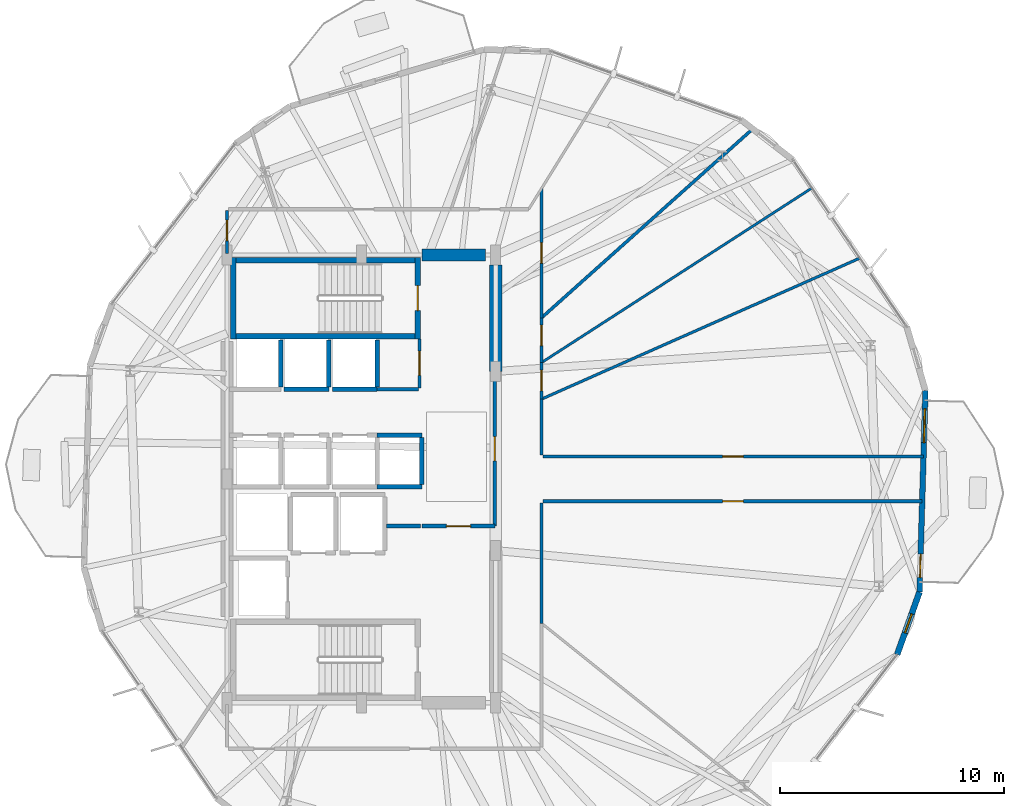
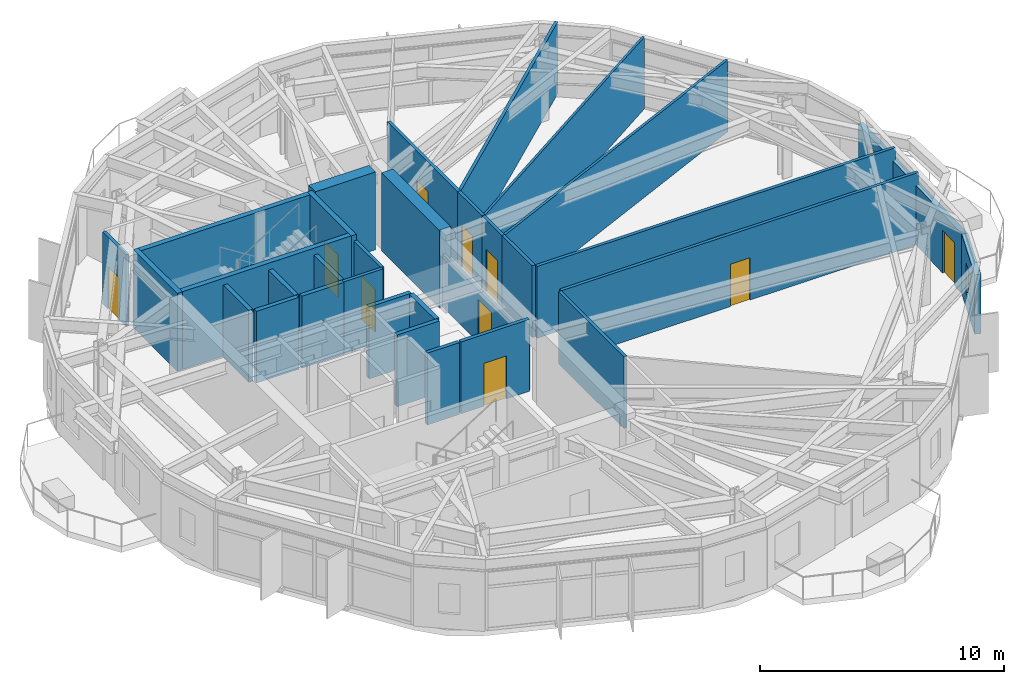
# One storey, part 20 of 24: 32 walls, 11 doors, 2 windows, 13 openings.
"""IFC4 building model written with IfcOpenShell, lengths in metres."""

from ifc_helpers import new_model, si_unit, direction, frame, frame_2d, origin, place, context, subcontext, project, spatial, rectangle, extrude, material, layer, layer_set, type_object, element, fill, save


model = new_model("IFC4")

# Units and contexts
model_context = context("Model", 3, precision=1e-05, world=origin(), true_north=direction((0.0, 1.0)))
body_context = subcontext(model_context, "Body", "Model", "MODEL_VIEW")
ifc_project = project(units=[si_unit("LENGTHUNIT", "METRE"), si_unit("AREAUNIT", "SQUARE_METRE"), si_unit("VOLUMEUNIT", "CUBIC_METRE"), si_unit("PLANEANGLEUNIT", "RADIAN"), si_unit("MASSUNIT", "GRAM", prefix="KILO")], contexts=[model_context])

# Site, building, storey
site_placement = place(None, origin())
site = spatial("IfcSite", under=ifc_project, at=site_placement, CompositionType="ELEMENT")
building_placement = place(site_placement, origin())
building = spatial("IfcBuilding", under=site, at=building_placement, Name="Soratama Intermodal Tower", CompositionType="ELEMENT")
storey_placement = place(building_placement, frame((0.0, 0.0, 91.300048828125)))
storey = spatial("IfcBuildingStorey", under=building, at=storey_placement, Name="L21", CompositionType="ELEMENT", Elevation=91.300048828125)

# Wall, openings, door, window
ifc_material_1 = material(Name="Concrete f'c 42 MPa", Category="concrete")
ifc_layer_1 = layer(ifc_material_1, 0.25)
ifc_layer_set_1 = layer_set([ifc_layer_1], Name="Concrete f'c 42 MPa")
wall_type_1 = type_object("IfcWallType", Name="EW-BAL-250", PredefinedType="SOLIDWALL", material=ifc_layer_set_1)
wall_1_placement = place(storey_placement, frame((63.53515625, 19.946044921875, 0.0), z_axis=(0.0, 0.0, 1.0), x_axis=(0.029323462977, 0.999569974799, 0.0)))
wall_1 = element("IfcWall", 1, at=wall_1_placement, inside=storey, type_object=wall_type_1, Name="L21 Terrace Wall F10", PredefinedType="SOLIDWALL", context=body_context, shape_type="SweptSolid", body=[
    extrude(rectangle(XDim=9.016845703125, YDim=0.25, at=frame_2d((4.50830078125, 0.0))), origin(), (0.0, 0.0, 1.0), 2.97900390625),
])
opening_1_placement = place(wall_1_placement, frame((0.64990234375, 0.0, 0.0)))
opening_1 = element("IfcOpeningElement", 2, at=opening_1_placement, cuts=wall_1, Name="Opening ED-5", PredefinedType="OPENING", context=body_context, shape_type="SweptSolid", body=[
    extrude(rectangle(XDim=1.050048828125, YDim=2.14990234375, at=frame_2d((0.52490234375, 1.074951171875))), frame((0.0, 0.135009765625, 0.0), z_axis=(0.0, -1.0, 0.0), x_axis=(1.0, 0.0, 0.0)), (0.0, 0.0, 1.0), 0.27001953125),
])
opening_2_placement = place(wall_1_placement, frame((6.681884765625, 0.0, 0.719970703125)))
opening_2 = element("IfcOpeningElement", 3, at=opening_2_placement, cuts=wall_1, Name="Opening WN-1", PredefinedType="OPENING", context=body_context, shape_type="SweptSolid", body=[
    extrude(rectangle(XDim=1.5, YDim=1.699951171875, at=frame_2d((0.75, 0.85009765625))), frame((0.0, 0.135009765625, 0.0), z_axis=(0.0, -1.0, 0.0), x_axis=(1.0, 0.0, 0.0)), (0.0, 0.0, 1.0), 0.27001953125),
])
ifc_material_2 = material(Name="Double-glazed aluminium door", Category="aluminium")
door_type_1 = type_object("IfcDoorType", Name="DR-BAL-1050", OperationType="NOTDEFINED", PredefinedType="DOOR", material=ifc_material_2)
door_1_placement = place(opening_1_placement, origin())
door_1 = element("IfcDoor", 4, at=door_1_placement, inside=storey, type_object=door_type_1, Name="L21 Balcony Door F10", OperationType="SINGLE_SWING_RIGHT", OverallHeight=2.14990234375, OverallWidth=1.050048828125, PredefinedType="DOOR", context=body_context, shape_type="SweptSolid", body=[
    extrude(rectangle(XDim=1.050048828125, YDim=2.14990234375, at=frame_2d((0.52490234375, 1.074951171875))), frame((0.0, 0.02490234375, 0.0), z_axis=(0.0, -1.0, 0.0), x_axis=(1.0, 0.0, 0.0)), (0.0, 0.0, 1.0), 0.050048828125),
])
fill(opening_1, door_1)
ifc_material_3 = material(Name="Double-glazed aluminium window", Category="aluminium")
window_type_1 = type_object("IfcWindowType", Name="WN-FAC-1500", PartitioningType="SINGLE_PANEL", PredefinedType="WINDOW", material=ifc_material_3)
window_1_placement = place(opening_2_placement, origin())
window_1 = element("IfcWindow", 5, at=window_1_placement, inside=storey, type_object=window_type_1, Name="L21 Window B F10", OverallHeight=1.699951171875, OverallWidth=1.5, PartitioningType="SINGLE_PANEL", PredefinedType="WINDOW", context=body_context, shape_type="SweptSolid", body=[
    extrude(rectangle(XDim=1.5, YDim=1.699951171875, at=frame_2d((0.75, 0.85009765625))), frame((0.0, 0.030029296875, 0.0), z_axis=(0.0, -1.0, 0.0), x_axis=(1.0, 0.0, 0.0)), (0.0, 0.0, 1.0), 0.06005859375),
])
fill(opening_2, window_1)

# Wall, opening, window
ifc_material_4 = material(Name="Concrete f'c 42 MPa", Category="concrete")
ifc_layer_2 = layer(ifc_material_4, 0.27001953125)
ifc_layer_set_2 = layer_set([ifc_layer_2], Name="Concrete f'c 42 MPa")
wall_type_2 = type_object("IfcWallType", Name="EW-CRN-270", PredefinedType="SOLIDWALL", material=ifc_layer_set_2)
wall_2_placement = place(storey_placement, frame((62.5361328125, 17.152587890625, 0.0), z_axis=(0.0, 0.0, 1.0), x_axis=(0.336742989922, 0.941596600853, 0.0)))
wall_2 = element("IfcWall", 6, at=wall_2_placement, inside=storey, type_object=wall_type_2, Name="L21 Corner Closure Wall 09", PredefinedType="SOLIDWALL", context=body_context, shape_type="SweptSolid", body=[
    extrude(rectangle(XDim=2.966796875, YDim=0.27001953125, at=frame_2d((1.4833984375, 0.0))), origin(), (0.0, 0.0, 1.0), 2.97900390625),
])
opening_3_placement = place(wall_2_placement, frame((1.033203125, 0.0, 0.75)))
opening_3 = element("IfcOpeningElement", 7, at=opening_3_placement, cuts=wall_2, Name="Opening WN-6", PredefinedType="OPENING", context=body_context, shape_type="SweptSolid", body=[
    extrude(rectangle(XDim=0.89990234375, YDim=1.5, at=frame_2d((0.449951171875, 0.75))), frame((0.0, 0.14501953125, 0.0), z_axis=(0.0, -1.0, 0.0), x_axis=(1.0, 0.0, 0.0)), (0.0, 0.0, 1.0), 0.2900390625),
])
ifc_material_5 = material(Name="Double-glazed aluminium window", Category="aluminium")
window_type_2 = type_object("IfcWindowType", Name="WN-FAC-900", PartitioningType="SINGLE_PANEL", PredefinedType="WINDOW", material=ifc_material_5)
window_2_placement = place(opening_3_placement, origin())
window_2 = element("IfcWindow", 8, at=window_2_placement, inside=storey, type_object=window_type_2, Name="L21 Corner Window 09", OverallHeight=1.5, OverallWidth=0.89990234375, PartitioningType="SINGLE_PANEL", PredefinedType="WINDOW", context=body_context, shape_type="SweptSolid", body=[
    extrude(rectangle(XDim=0.89990234375, YDim=1.5, at=frame_2d((0.449951171875, 0.75))), frame((0.0, 0.030029296875, 0.0), z_axis=(0.0, -1.0, 0.0), x_axis=(1.0, 0.0, 0.0)), (0.0, 0.0, 1.0), 0.06005859375),
])
fill(opening_3, window_2)

# Wall, opening, door
ifc_material_6 = material(Name="Fire-rated gypsum stud partition", Category="concrete")
ifc_layer_3 = layer(ifc_material_6, 0.14990234375)
ifc_layer_set_3 = layer_set([ifc_layer_3], Name="Fire-rated gypsum stud partition")
wall_type_3 = type_object("IfcWallType", Name="IW-PART-R150", PredefinedType="PARTITIONING", material=ifc_layer_set_3)
wall_3_placement = place(storey_placement, frame((46.719970703125, 26.0, 0.0), z_axis=(0.0, 0.0, 1.0), x_axis=(1.0, 0.0, 0.0)))
wall_3 = element("IfcWall", 9, at=wall_3_placement, inside=storey, type_object=wall_type_3, Name="L21 Partition W-L21-TP001", PredefinedType="PARTITIONING", context=body_context, shape_type="SweptSolid", body=[
    extrude(rectangle(XDim=16.992919921875, YDim=0.14990234375, at=frame_2d((8.49658203125, 0.0))), origin(), (0.0, 0.0, 1.0), 3.599853515625),
])
opening_4_placement = place(wall_3_placement, frame((8.02197265625, 0.0, 0.0)))
opening_4 = element("IfcOpeningElement", 10, at=opening_4_placement, cuts=wall_3, Name="Opening ID-6", PredefinedType="OPENING", context=body_context, shape_type="SweptSolid", body=[
    extrude(rectangle(XDim=0.919921875, YDim=2.1201171875, at=frame_2d((0.4599609375, 1.06005859375))), frame((0.0, 0.0849609375, 0.0), z_axis=(0.0, -1.0, 0.0), x_axis=(1.0, 0.0, 0.0)), (0.0, 0.0, 1.0), 0.169921875),
])
ifc_material_7 = material(Name="Solid hardwood acoustic door", Category="wood")
door_type_2 = type_object("IfcDoorType", Name="DR-ROOM-920", OperationType="NOTDEFINED", PredefinedType="DOOR", material=ifc_material_7)
door_2_placement = place(opening_4_placement, origin())
door_2 = element("IfcDoor", 11, at=door_2_placement, inside=storey, type_object=door_type_2, Name="L21 Door D-L21-TP001", OperationType="SINGLE_SWING_RIGHT", OverallHeight=2.1201171875, OverallWidth=0.919921875, PredefinedType="DOOR", context=body_context, shape_type="SweptSolid", body=[
    extrude(rectangle(XDim=0.919921875, YDim=2.1201171875, at=frame_2d((0.4599609375, 1.06005859375))), frame((0.0, 0.02490234375, 0.0), z_axis=(0.0, -1.0, 0.0), x_axis=(1.0, 0.0, 0.0)), (0.0, 0.0, 1.0), 0.050048828125),
])
fill(opening_4, door_2)

wall_4_placement = place(storey_placement, frame((63.654052734375, 24.0, 0.0), z_axis=(0.0, 0.0, 1.0), x_axis=(-1.0, 0.0, 0.0)))
wall_4 = element("IfcWall", 12, at=wall_4_placement, inside=storey, type_object=wall_type_3, Name="L21 Partition W-L21-TP002", PredefinedType="PARTITIONING", context=body_context, shape_type="SweptSolid", body=[
    extrude(rectangle(XDim=16.93408203125, YDim=0.14990234375, at=frame_2d((8.467041015625, 0.0))), origin(), (0.0, 0.0, 1.0), 3.599853515625),
])
opening_5_placement = place(wall_4_placement, frame((7.991943359375, 0.0, 0.0)))
opening_5 = element("IfcOpeningElement", 13, at=opening_5_placement, cuts=wall_4, Name="Opening ID-6", PredefinedType="OPENING", context=body_context, shape_type="SweptSolid", body=[
    extrude(rectangle(XDim=0.919921875, YDim=2.1201171875, at=frame_2d((0.4599609375, 1.06005859375))), frame((0.0, 0.0849609375, 0.0), z_axis=(0.0, -1.0, 0.0), x_axis=(1.0, 0.0, 0.0)), (0.0, 0.0, 1.0), 0.169921875),
])
door_3_placement = place(opening_5_placement, origin())
door_3 = element("IfcDoor", 14, at=door_3_placement, inside=storey, type_object=door_type_2, Name="L21 Door D-L21-TP002", OperationType="SINGLE_SWING_LEFT", OverallHeight=2.1201171875, OverallWidth=0.919921875, PredefinedType="DOOR", context=body_context, shape_type="SweptSolid", body=[
    extrude(rectangle(XDim=0.919921875, YDim=2.1201171875, at=frame_2d((0.4599609375, 1.06005859375))), frame((0.0, 0.02490234375, 0.0), z_axis=(0.0, -1.0, 0.0), x_axis=(1.0, 0.0, 0.0)), (0.0, 0.0, 1.0), 0.050048828125),
])
fill(opening_5, door_3)

wall_5_placement = place(storey_placement, frame((44.56005859375, 29.800048828125, 0.0), z_axis=(0.0, 0.0, 1.0), x_axis=(0.0, -1.0, 0.0)))
wall_5 = element("IfcWall", 15, at=wall_5_placement, inside=storey, type_object=wall_type_3, Name="L21 Partition W-L21-TP011", PredefinedType="PARTITIONING", context=body_context, shape_type="SweptSolid", body=[
    extrude(rectangle(XDim=6.91015625, YDim=0.14990234375, at=frame_2d((3.455078125, 0.0))), origin(), (0.0, 0.0, 1.0), 2.639892578125),
])
opening_6_placement = place(wall_5_placement, frame((2.9150390625, 0.0, 0.0)))
opening_6 = element("IfcOpeningElement", 16, at=opening_6_placement, cuts=wall_5, Name="Opening ID-1", PredefinedType="OPENING", context=body_context, shape_type="SweptSolid", body=[
    extrude(rectangle(XDim=1.080078125, YDim=2.14990234375, at=frame_2d((0.5400390625, 1.074951171875))), frame((0.0, 0.0849609375, 0.0), z_axis=(0.0, -1.0, 0.0), x_axis=(1.0, 0.0, 0.0)), (0.0, 0.0, 1.0), 0.169921875),
])
ifc_material_8 = material(Name="Solid hardwood acoustic door", Category="wood")
door_type_3 = type_object("IfcDoorType", Name="DR-LOB-FD60", OperationType="NOTDEFINED", PredefinedType="DOOR", material=ifc_material_8)
door_4_placement = place(opening_6_placement, origin())
door_4 = element("IfcDoor", 17, at=door_4_placement, inside=storey, type_object=door_type_3, Name="L21 Door D-L21-TP005", OperationType="SINGLE_SWING_RIGHT", OverallHeight=2.14990234375, OverallWidth=1.080078125, PredefinedType="DOOR", context=body_context, shape_type="SweptSolid", body=[
    extrude(rectangle(XDim=1.080078125, YDim=2.14990234375, at=frame_2d((0.5400390625, 1.074951171875))), frame((0.0, 0.02490234375, 0.0), z_axis=(0.0, -1.0, 0.0), x_axis=(1.0, 0.0, 0.0)), (0.0, 0.0, 1.0), 0.050048828125),
])
fill(opening_6, door_4)

wall_6_placement = place(storey_placement, frame((46.64990234375, 37.972900390625, 0.0), z_axis=(0.0, 0.0, 1.0), x_axis=(0.0, -1.0, 0.0)))
wall_6 = element("IfcWall", 18, at=wall_6_placement, inside=storey, type_object=wall_type_3, Name="L21 Partition W-L21-TP012", PredefinedType="PARTITIONING", context=body_context, shape_type="SweptSolid", body=[
    extrude(rectangle(XDim=5.77392578125, YDim=0.14990234375, at=frame_2d((2.886962890625, 0.0))), origin(), (0.0, 0.0, 1.0), 3.599853515625),
])
opening_7_placement = place(wall_6_placement, frame((2.412109375, 0.0, 0.0)))
opening_7 = element("IfcOpeningElement", 19, at=opening_7_placement, cuts=wall_6, Name="Opening ID-6", PredefinedType="OPENING", context=body_context, shape_type="SweptSolid", body=[
    extrude(rectangle(XDim=0.919921875, YDim=2.1201171875, at=frame_2d((0.4599609375, 1.06005859375))), frame((0.0, 0.0849609375, 0.0), z_axis=(0.0, -1.0, 0.0), x_axis=(1.0, 0.0, 0.0)), (0.0, 0.0, 1.0), 0.169921875),
])
door_5_placement = place(opening_7_placement, origin())
door_5 = element("IfcDoor", 20, at=door_5_placement, inside=storey, type_object=door_type_2, Name="L21 Door D-L21-TP006", OperationType="SINGLE_SWING_LEFT", OverallHeight=2.1201171875, OverallWidth=0.919921875, PredefinedType="DOOR", context=body_context, shape_type="SweptSolid", body=[
    extrude(rectangle(XDim=0.919921875, YDim=2.1201171875, at=frame_2d((0.4599609375, 1.06005859375))), frame((0.0, 0.02490234375, 0.0), z_axis=(0.0, -1.0, 0.0), x_axis=(1.0, 0.0, 0.0)), (0.0, 0.0, 1.0), 0.050048828125),
])
fill(opening_7, door_5)

# Walls
wall_7_placement = place(storey_placement, frame((46.64990234375, 23.929931640625, 0.0), z_axis=(0.0, 0.0, 1.0), x_axis=(0.0, -1.0, 0.0)))
element("IfcWall", 21, at=wall_7_placement, inside=storey, type_object=wall_type_3, Name="L21 Partition W-L21-TP014", PredefinedType="PARTITIONING", context=body_context, shape_type="SweptSolid", body=[
    extrude(rectangle(XDim=5.3798828125, YDim=0.14990234375, at=frame_2d((2.68994140625, 0.0))), origin(), (0.0, 0.0, 1.0), 3.599853515625),
])
wall_8_placement = place(storey_placement, frame((46.64990234375, 28.56591796875, 0.0), z_axis=(0.0, 0.0, 1.0), x_axis=(0.0, -1.0, 0.0)))
element("IfcWall", 22, at=wall_8_placement, inside=storey, type_object=wall_type_3, Name="L21 Partition W-L21-TP021", PredefinedType="PARTITIONING", context=body_context, shape_type="SweptSolid", body=[
    extrude(rectangle(XDim=2.495849609375, YDim=0.14990234375, at=frame_2d((1.248046875, 0.0))), origin(), (0.0, 0.0, 1.0), 3.599853515625),
])

# Wall, opening, door
wall_9_placement = place(storey_placement, frame((41.199951171875, 29.070068359375, 0.0), z_axis=(0.0, 0.0, 1.0), x_axis=(0.0, 1.0, 0.0)))
wall_9 = element("IfcWall", 23, at=wall_9_placement, inside=storey, type_object=wall_type_3, Name="L21 Partition W-L21-TP022", PredefinedType="PARTITIONING", context=body_context, shape_type="SweptSolid", body=[
    extrude(rectangle(XDim=2.18994140625, YDim=0.14990234375, at=frame_2d((1.094970703125, 0.0))), origin(), (0.0, 0.0, 1.0), 3.599853515625),
])
opening_8_placement = place(wall_9_placement, frame((0.554931640625, 0.0, 0.0)))
opening_8 = element("IfcOpeningElement", 24, at=opening_8_placement, cuts=wall_9, Name="Opening ID-1", PredefinedType="OPENING", context=body_context, shape_type="SweptSolid", body=[
    extrude(rectangle(XDim=1.080078125, YDim=2.14990234375, at=frame_2d((0.5400390625, 1.074951171875))), frame((0.0, 0.0849609375, 0.0), z_axis=(0.0, -1.0, 0.0), x_axis=(1.0, 0.0, 0.0)), (0.0, 0.0, 1.0), 0.169921875),
])
door_6_placement = place(opening_8_placement, origin())
door_6 = element("IfcDoor", 25, at=door_6_placement, inside=storey, type_object=door_type_3, Name="L21 Door D-L21-TP010", OperationType="SINGLE_SWING_LEFT", OverallHeight=2.14990234375, OverallWidth=1.080078125, PredefinedType="DOOR", context=body_context, shape_type="SweptSolid", body=[
    extrude(rectangle(XDim=1.080078125, YDim=2.14990234375, at=frame_2d((0.5400390625, 1.074951171875))), frame((0.0, 0.02490234375, 0.0), z_axis=(0.0, -1.0, 0.0), x_axis=(1.0, 0.0, 0.0)), (0.0, 0.0, 1.0), 0.050048828125),
])
fill(opening_8, door_6)

wall_10_placement = place(storey_placement, frame((46.64990234375, 32.198974609375, 0.0), z_axis=(0.0, 0.0, 1.0), x_axis=(0.0, -1.0, 0.0)))
wall_10 = element("IfcWall", 26, at=wall_10_placement, inside=storey, type_object=wall_type_3, Name="L21 Partition W-L21-TP024", PredefinedType="PARTITIONING", context=body_context, shape_type="SweptSolid", body=[
    extrude(rectangle(XDim=2.001953125, YDim=0.14990234375, at=frame_2d((1.0009765625, 0.0))), origin(), (0.0, 0.0, 1.0), 3.599853515625),
])
opening_9_placement = place(wall_10_placement, frame((0.325927734375, 0.0, 0.0)))
opening_9 = element("IfcOpeningElement", 27, at=opening_9_placement, cuts=wall_10, Name="Opening ID-6", PredefinedType="OPENING", context=body_context, shape_type="SweptSolid", body=[
    extrude(rectangle(XDim=0.919921875, YDim=2.1201171875, at=frame_2d((0.4599609375, 1.06005859375))), frame((0.0, 0.0849609375, 0.0), z_axis=(0.0, -1.0, 0.0), x_axis=(1.0, 0.0, 0.0)), (0.0, 0.0, 1.0), 0.169921875),
])
door_7_placement = place(opening_9_placement, origin())
door_7 = element("IfcDoor", 28, at=door_7_placement, inside=storey, type_object=door_type_2, Name="L21 Door D-L21-TP011", OperationType="SINGLE_SWING_RIGHT", OverallHeight=2.1201171875, OverallWidth=0.919921875, PredefinedType="DOOR", context=body_context, shape_type="SweptSolid", body=[
    extrude(rectangle(XDim=0.919921875, YDim=2.1201171875, at=frame_2d((0.4599609375, 1.06005859375))), frame((0.0, 0.02490234375, 0.0), z_axis=(0.0, -1.0, 0.0), x_axis=(1.0, 0.0, 0.0)), (0.0, 0.0, 1.0), 0.050048828125),
])
fill(opening_9, door_7)

wall_11_placement = place(storey_placement, frame((32.60009765625, 35.070068359375, 0.0), z_axis=(0.0, 0.0, 1.0), x_axis=(0.0, 1.0, 0.0)))
wall_11 = element("IfcWall", 29, at=wall_11_placement, inside=storey, type_object=wall_type_3, Name="L21 Partition W-L21-TP026", PredefinedType="PARTITIONING", context=body_context, shape_type="SweptSolid", body=[
    extrude(rectangle(XDim=1.909912109375, YDim=0.14990234375, at=frame_2d((0.955078125, 0.0))), origin(), (0.0, 0.0, 1.0), 3.599853515625),
])
opening_10_placement = place(wall_11_placement, frame((0.574951171875, 0.0, 0.0)))
opening_10 = element("IfcOpeningElement", 30, at=opening_10_placement, cuts=wall_11, Name="Opening ID-6", PredefinedType="OPENING", context=body_context, shape_type="SweptSolid", body=[
    extrude(rectangle(XDim=0.919921875, YDim=2.1201171875, at=frame_2d((0.4599609375, 1.06005859375))), frame((0.0, 0.0849609375, 0.0), z_axis=(0.0, -1.0, 0.0), x_axis=(1.0, 0.0, 0.0)), (0.0, 0.0, 1.0), 0.169921875),
])
door_8_placement = place(opening_10_placement, origin())
door_8 = element("IfcDoor", 31, at=door_8_placement, inside=storey, type_object=door_type_2, Name="L21 Door D-L21-TP012", OperationType="SINGLE_SWING_LEFT", OverallHeight=2.1201171875, OverallWidth=0.919921875, PredefinedType="DOOR", context=body_context, shape_type="SweptSolid", body=[
    extrude(rectangle(XDim=0.919921875, YDim=2.1201171875, at=frame_2d((0.4599609375, 1.06005859375))), frame((0.0, 0.02490234375, 0.0), z_axis=(0.0, -1.0, 0.0), x_axis=(1.0, 0.0, 0.0)), (0.0, 0.0, 1.0), 0.050048828125),
])
fill(opening_10, door_8)

# Wall
wall_12_placement = place(storey_placement, frame((39.300048828125, 29.010009765625, 0.0), z_axis=(0.0, 0.0, 1.0), x_axis=(1.0, 0.0, 0.0)))
element("IfcWall", 32, at=wall_12_placement, inside=storey, type_object=wall_type_3, Name="L21 Partition W-L21-TP027", PredefinedType="PARTITIONING", context=body_context, shape_type="SweptSolid", body=[
    extrude(rectangle(XDim=1.85986328125, YDim=0.14990234375, at=frame_2d((0.929931640625, 0.0))), origin(), (0.0, 0.0, 1.0), 3.599853515625),
])

# Wall, opening, door
wall_13_placement = place(storey_placement, frame((46.64990234375, 30.197021484375, 0.0), z_axis=(0.0, 0.0, 1.0), x_axis=(0.0, -1.0, 0.0)))
wall_13 = element("IfcWall", 33, at=wall_13_placement, inside=storey, type_object=wall_type_3, Name="L21 Partition W-L21-TP028", PredefinedType="PARTITIONING", context=body_context, shape_type="SweptSolid", body=[
    extrude(rectangle(XDim=1.631103515625, YDim=0.14990234375, at=frame_2d((0.8154296875, 0.0))), origin(), (0.0, 0.0, 1.0), 3.599853515625),
])
opening_11_placement = place(wall_13_placement, frame((0.341064453125, 0.0, 0.0)))
opening_11 = element("IfcOpeningElement", 34, at=opening_11_placement, cuts=wall_13, Name="Opening ID-6", PredefinedType="OPENING", context=body_context, shape_type="SweptSolid", body=[
    extrude(rectangle(XDim=0.919921875, YDim=2.1201171875, at=frame_2d((0.4599609375, 1.06005859375))), frame((0.0, 0.0849609375, 0.0), z_axis=(0.0, -1.0, 0.0), x_axis=(1.0, 0.0, 0.0)), (0.0, 0.0, 1.0), 0.169921875),
])
door_9_placement = place(opening_11_placement, origin())
door_9 = element("IfcDoor", 35, at=door_9_placement, inside=storey, type_object=door_type_2, Name="L21 Door D-L21-TP013", OperationType="SINGLE_SWING_RIGHT", OverallHeight=2.1201171875, OverallWidth=0.919921875, PredefinedType="DOOR", context=body_context, shape_type="SweptSolid", body=[
    extrude(rectangle(XDim=0.919921875, YDim=2.1201171875, at=frame_2d((0.4599609375, 1.06005859375))), frame((0.0, 0.02490234375, 0.0), z_axis=(0.0, -1.0, 0.0), x_axis=(1.0, 0.0, 0.0)), (0.0, 0.0, 1.0), 0.050048828125),
])
fill(opening_11, door_9)

ifc_material_9 = material(Name="Fire-rated gypsum stud partition", Category="concrete")
ifc_layer_4 = layer(ifc_material_9, 0.169921875)
ifc_layer_set_4 = layer_set([ifc_layer_4], Name="Fire-rated gypsum stud partition")
wall_type_4 = type_object("IfcWallType", Name="IW-PART-R170", PredefinedType="PARTITIONING", material=ifc_layer_set_4)
wall_14_placement = place(storey_placement, frame((41.320068359375, 22.889892578125, 0.0), z_axis=(0.0, 0.0, 1.0), x_axis=(1.0, 0.0, 0.0)))
wall_14 = element("IfcWall", 36, at=wall_14_placement, inside=storey, type_object=wall_type_4, Name="L21 Partition W-L21-TP019", PredefinedType="PARTITIONING", context=body_context, shape_type="SweptSolid", body=[
    extrude(rectangle(XDim=3.239990234375, YDim=0.169921875, at=frame_2d((1.6201171875, 0.0))), origin(), (0.0, 0.0, 1.0), 3.599853515625),
])
opening_12_placement = place(wall_14_placement, frame((1.080078125, 0.0, 0.0)))
opening_12 = element("IfcOpeningElement", 37, at=opening_12_placement, cuts=wall_14, Name="Opening ID-0", PredefinedType="OPENING", context=body_context, shape_type="SweptSolid", body=[
    extrude(rectangle(XDim=1.080078125, YDim=2.14990234375, at=frame_2d((0.5400390625, 1.074951171875))), frame((0.0, 0.094970703125, 0.0), z_axis=(0.0, -1.0, 0.0), x_axis=(1.0, 0.0, 0.0)), (0.0, 0.0, 1.0), 0.18994140625),
])
ifc_material_10 = material(Name="Solid hardwood acoustic door", Category="wood")
door_type_4 = type_object("IfcDoorType", Name="DR-LOB-FD90", OperationType="NOTDEFINED", PredefinedType="DOOR", material=ifc_material_10)
door_10_placement = place(opening_12_placement, origin())
door_10 = element("IfcDoor", 38, at=door_10_placement, inside=storey, type_object=door_type_4, Name="L21 Door D-L21-TP008", OperationType="SINGLE_SWING_LEFT", OverallHeight=2.14990234375, OverallWidth=1.080078125, PredefinedType="DOOR", context=body_context, shape_type="SweptSolid", body=[
    extrude(rectangle(XDim=1.080078125, YDim=2.14990234375, at=frame_2d((0.5400390625, 1.074951171875))), frame((0.0, 0.02490234375, 0.0), z_axis=(0.0, -1.0, 0.0), x_axis=(1.0, 0.0, 0.0)), (0.0, 0.0, 1.0), 0.050048828125),
])
fill(opening_12, door_10)

# Walls
wall_15_placement = place(storey_placement, frame((39.719970703125, 22.889892578125, 0.0), z_axis=(0.0, 0.0, 1.0), x_axis=(1.0, 0.0, 0.0)))
element("IfcWall", 39, at=wall_15_placement, inside=storey, type_object=wall_type_4, Name="L21 Partition W-L21-TP029", PredefinedType="PARTITIONING", context=body_context, shape_type="SweptSolid", body=[
    extrude(rectangle(XDim=1.52001953125, YDim=0.169921875, at=frame_2d((0.760009765625, 0.0))), origin(), (0.0, 0.0, 1.0), 3.599853515625),
])
ifc_material_11 = material(Name="Fire-rated gypsum stud partition", Category="concrete")
ifc_layer_5 = layer(ifc_material_11, 0.110107421875)
ifc_layer_set_5 = layer_set([ifc_layer_5], Name="Fire-rated gypsum stud partition")
wall_type_5 = type_object("IfcWallType", Name="IW-PART-S110", PredefinedType="PARTITIONING", material=ifc_layer_set_5)
wall_16_placement = place(storey_placement, frame((46.64990234375, 30.197021484375, 0.0), z_axis=(0.0, 0.0, 1.0), x_axis=(0.840113321111, 0.542410921435, 0.0)))
element("IfcWall", 40, at=wall_16_placement, inside=storey, type_object=wall_type_5, Name="L21 Partition W-L21-TP004", PredefinedType="PARTITIONING", context=body_context, shape_type="SweptSolid", body=[
    extrude(rectangle(XDim=14.387451171875, YDim=0.110107421875, at=frame_2d((7.19384765625, 0.0))), origin(), (0.0, 0.0, 1.0), 3.599853515625),
])
ifc_material_12 = material(Name="Fire-rated gypsum stud partition", Category="concrete")
ifc_layer_6 = layer(ifc_material_12, 0.1201171875)
ifc_layer_set_6 = layer_set([ifc_layer_6], Name="Fire-rated gypsum stud partition")
wall_type_6 = type_object("IfcWallType", Name="IW-PART-S120", PredefinedType="PARTITIONING", material=ifc_layer_set_6)
wall_17_placement = place(storey_placement, frame((46.64990234375, 28.56591796875, 0.0), z_axis=(0.0, 0.0, 1.0), x_axis=(0.91433810275, 0.404951643853, 0.0)))
element("IfcWall", 41, at=wall_17_placement, inside=storey, type_object=wall_type_6, Name="L21 Partition W-L21-TP003", PredefinedType="PARTITIONING", context=body_context, shape_type="SweptSolid", body=[
    extrude(rectangle(XDim=15.56005859375, YDim=0.1201171875, at=frame_2d((7.780029296875, 0.0))), origin(), (0.0, 0.0, 1.0), 3.599853515625),
])
ifc_material_13 = material(Name="Fire-rated gypsum stud partition", Category="concrete")
ifc_layer_7 = layer(ifc_material_13, 0.139892578125)
ifc_layer_set_7 = layer_set([ifc_layer_7], Name="Fire-rated gypsum stud partition")
wall_type_7 = type_object("IfcWallType", Name="IW-PART-S140", PredefinedType="PARTITIONING", material=ifc_layer_set_7)
wall_18_placement = place(storey_placement, frame((46.64990234375, 32.198974609375, 0.0), z_axis=(0.0, 0.0, 1.0), x_axis=(0.745379719691, 0.66664013791, 0.0)))
element("IfcWall", 42, at=wall_18_placement, inside=storey, type_object=wall_type_7, Name="L21 Partition W-L21-TP006", PredefinedType="PARTITIONING", context=body_context, shape_type="SweptSolid", body=[
    extrude(rectangle(XDim=12.777587890625, YDim=0.139892578125, at=frame_2d((6.388671875, 0.0))), origin(), (0.0, 0.0, 1.0), 3.599853515625),
])
ifc_material_14 = material(Name="Concrete f'c 42 MPa", Category="concrete")
ifc_layer_8 = layer(ifc_material_14, 0.199951171875)
ifc_layer_set_8 = layer_set([ifc_layer_8], Name="Concrete f'c 42 MPa")
wall_type_8 = type_object("IfcWallType", Name="IW-SHAFT-200", PredefinedType="SOLIDWALL", material=ifc_layer_set_8)
for number, where, z_axis, x_axis, name in (
    (43, (39.300048828125, 24.64990234375, 0.0), (0.0, 0.0, 1.0), (1.0, 0.0, 0.0), "L21 PL-M1 Hoistway Wall S"),
    (44, (39.300048828125, 26.949951171875, 0.0), (0.0, 0.0, 1.0), (1.0, 0.0, 0.0), "L21 PL-M1 Hoistway Wall N"),
):
    element("IfcWall", number, at=place(storey_placement, frame(where, z_axis=z_axis, x_axis=x_axis)), inside=storey, type_object=wall_type_8, Name=name, PredefinedType="SOLIDWALL", context=body_context, shape_type="SweptSolid", body=[
        extrude(rectangle(XDim=2.0, YDim=0.199951171875, at=frame_2d((1.0, 0.0))), origin(), (0.0, 0.0, 1.0), 3.599853515625),
    ])
wall_19_placement = place(storey_placement, frame((41.300048828125, 24.760009765625, 0.0), z_axis=(0.0, 0.0, 1.0), x_axis=(0.0, 1.0, 0.0)))
element("IfcWall", 45, at=wall_19_placement, inside=storey, type_object=wall_type_8, Name="L21 PL-M1 Hoistway Wall E", PredefinedType="SOLIDWALL", context=body_context, shape_type="SweptSolid", body=[
    extrude(rectangle(XDim=2.080078125, YDim=0.199951171875, at=frame_2d((1.0400390625, 0.0))), origin(), (0.0, 0.0, 1.0), 3.599853515625),
])
wall_20_placement = place(storey_placement, frame((35.0, 29.110107421875, 0.0), z_axis=(0.0, 0.0, 1.0), x_axis=(0.0, 1.0, 0.0)))
element("IfcWall", 46, at=wall_20_placement, inside=storey, type_object=wall_type_8, Name="L21 PL-M2 Hoistway Wall E", PredefinedType="SOLIDWALL", context=body_context, shape_type="SweptSolid", body=[
    extrude(rectangle(XDim=2.099853515625, YDim=0.199951171875, at=frame_2d((1.0498046875, 0.0))), origin(), (0.0, 0.0, 1.0), 3.599853515625),
])
wall_21_placement = place(storey_placement, frame((35.14990234375, 29.0, 0.0), z_axis=(0.0, 0.0, 1.0), x_axis=(1.0, 0.0, 0.0)))
element("IfcWall", 47, at=wall_21_placement, inside=storey, type_object=wall_type_8, Name="L21 PL-H1 Hoistway Wall S", PredefinedType="SOLIDWALL", context=body_context, shape_type="SweptSolid", body=[
    extrude(rectangle(XDim=2.0, YDim=0.199951171875, at=frame_2d((1.0, 0.0))), origin(), (0.0, 0.0, 1.0), 3.599853515625),
])
wall_22_placement = place(storey_placement, frame((37.14990234375, 29.110107421875, 0.0), z_axis=(0.0, 0.0, 1.0), x_axis=(0.0, 1.0, 0.0)))
element("IfcWall", 48, at=wall_22_placement, inside=storey, type_object=wall_type_8, Name="L21 PL-H1 Hoistway Wall E", PredefinedType="SOLIDWALL", context=body_context, shape_type="SweptSolid", body=[
    extrude(rectangle(XDim=2.099853515625, YDim=0.199951171875, at=frame_2d((1.0498046875, 0.0))), origin(), (0.0, 0.0, 1.0), 3.599853515625),
])
wall_23_placement = place(storey_placement, frame((37.300048828125, 29.0, 0.0), z_axis=(0.0, 0.0, 1.0), x_axis=(1.0, 0.0, 0.0)))
element("IfcWall", 49, at=wall_23_placement, inside=storey, type_object=wall_type_8, Name="L21 PL-H2 Hoistway Wall S", PredefinedType="SOLIDWALL", context=body_context, shape_type="SweptSolid", body=[
    extrude(rectangle(XDim=2.0, YDim=0.199951171875, at=frame_2d((1.0, 0.0))), origin(), (0.0, 0.0, 1.0), 3.599853515625),
])
wall_24_placement = place(storey_placement, frame((39.300048828125, 29.110107421875, 0.0), z_axis=(0.0, 0.0, 1.0), x_axis=(0.0, 1.0, 0.0)))
element("IfcWall", 50, at=wall_24_placement, inside=storey, type_object=wall_type_8, Name="L21 PL-H2 Hoistway Wall E", PredefinedType="SOLIDWALL", context=body_context, shape_type="SweptSolid", body=[
    extrude(rectangle(XDim=2.099853515625, YDim=0.199951171875, at=frame_2d((1.0498046875, 0.0))), origin(), (0.0, 0.0, 1.0), 3.599853515625),
])
ifc_material_15 = material(Name="Concrete f'c 56 MPa", Category="concrete")
ifc_layer_9 = layer(ifc_material_15, 0.550048828125)
ifc_layer_set_9 = layer_set([ifc_layer_9], Name="Concrete f'c 56 MPa")
wall_type_9 = type_object("IfcWallType", Name="SW-CORE-550", PredefinedType="SHEAR", material=ifc_layer_set_9)
wall_25_placement = place(storey_placement, frame((41.300048828125, 35.0, 0.0), z_axis=(0.0, 0.0, 1.0), x_axis=(1.0, 0.0, 0.0)))
element("IfcWall", 51, at=wall_25_placement, inside=storey, type_object=wall_type_9, Name="L21 Core Shear Wall CW-NE", PredefinedType="SHEAR", context=body_context, shape_type="SweptSolid", body=[
    extrude(rectangle(XDim=2.849853515625, YDim=0.550048828125, at=frame_2d((1.4248046875, 0.0))), origin(), (0.0, 0.0, 1.0), 3.89990234375),
])
wall_26_placement = place(storey_placement, frame((44.60009765625, 29.800048828125, 0.0), z_axis=(0.0, 0.0, 1.0), x_axis=(0.0, 1.0, 0.0)))
element("IfcWall", 52, at=wall_26_placement, inside=storey, type_object=wall_type_9, Name="L21 Core Shear Wall CW-EN", PredefinedType="SHEAR", context=body_context, shape_type="SweptSolid", body=[
    extrude(rectangle(XDim=4.75, YDim=0.550048828125, at=frame_2d((2.375, 0.0))), origin(), (0.0, 0.0, 1.0), 3.89990234375),
])
ifc_material_16 = material(Name="Concrete f'c 56 MPa", Category="concrete")
ifc_layer_10 = layer(ifc_material_16, 0.239990234375)
ifc_layer_set_10 = layer_set([ifc_layer_10], Name="Concrete f'c 56 MPa")
wall_type_10 = type_object("IfcWallType", Name="SW-STAIR-240", PredefinedType="SHEAR", material=ifc_layer_set_10)
wall_27_placement = place(storey_placement, frame((32.8798828125, 31.260009765625, 0.0), z_axis=(0.0, 0.0, 1.0), x_axis=(0.0, 1.0, 0.0)))
element("IfcWall", 53, at=wall_27_placement, inside=storey, type_object=wall_type_10, Name="L21 ST-2 Shaft Shear Wall W", PredefinedType="SHEAR", context=body_context, shape_type="SweptSolid", body=[
    extrude(rectangle(XDim=3.6298828125, YDim=0.239990234375, at=frame_2d((1.81494140625, 0.0))), origin(), (0.0, 0.0, 1.0), 3.89990234375),
])

# Wall, opening, door
wall_28_placement = place(storey_placement, frame((41.1201171875, 31.260009765625, 0.0), z_axis=(0.0, 0.0, 1.0), x_axis=(0.0, 1.0, 0.0)))
wall_28 = element("IfcWall", 54, at=wall_28_placement, inside=storey, type_object=wall_type_10, Name="L21 ST-2 Shaft Shear Wall E", PredefinedType="SHEAR", context=body_context, shape_type="SweptSolid", body=[
    extrude(rectangle(XDim=3.6298828125, YDim=0.239990234375, at=frame_2d((1.81494140625, 0.0))), origin(), (0.0, 0.0, 1.0), 3.89990234375),
])
opening_13_placement = place(wall_28_placement, frame((1.2548828125, 0.0, 0.0)))
opening_13 = element("IfcOpeningElement", 55, at=opening_13_placement, cuts=wall_28, Name="Opening SD-1", PredefinedType="OPENING", context=body_context, shape_type="SweptSolid", body=[
    extrude(rectangle(XDim=1.1201171875, YDim=2.14990234375, at=frame_2d((0.56005859375, 1.074951171875))), frame((0.0, 0.1298828125, 0.0), z_axis=(0.0, -1.0, 0.0), x_axis=(1.0, 0.0, 0.0)), (0.0, 0.0, 1.0), 0.260009765625),
])
ifc_material_17 = material(Name="Steel fire door", Category="steel")
door_type_5 = type_object("IfcDoorType", Name="DR-STAIR-FD90", OperationType="NOTDEFINED", PredefinedType="DOOR", material=ifc_material_17)
door_11_placement = place(opening_13_placement, origin())
door_11 = element("IfcDoor", 56, at=door_11_placement, inside=storey, type_object=door_type_5, Name="L21 ST-2 Exit Stair Door", OperationType="SINGLE_SWING_RIGHT", OverallHeight=2.14990234375, OverallWidth=1.1201171875, PredefinedType="DOOR", context=body_context, shape_type="SweptSolid", body=[
    extrude(rectangle(XDim=1.1201171875, YDim=2.14990234375, at=frame_2d((0.56005859375, 1.074951171875))), frame((0.0, 0.02490234375, 0.0), z_axis=(0.0, -1.0, 0.0), x_axis=(1.0, 0.0, 0.0)), (0.0, 0.0, 1.0), 0.050048828125),
])
fill(opening_13, door_11)

# Walls
for number, where, z_axis, x_axis, name in (
    (57, (33.0, 31.3798828125, 0.0), (0.0, 0.0, 1.0), (1.0, 0.0, 0.0), "L21 ST-2 Shaft Shear Wall S"),
    (58, (33.0, 34.77001953125, 0.0), (0.0, 0.0, 1.0), (1.0, 0.0, 0.0), "L21 ST-2 Shaft Shear Wall N"),
):
    element("IfcWall", number, at=place(storey_placement, frame(where, z_axis=z_axis, x_axis=x_axis)), inside=storey, type_object=wall_type_10, Name=name, PredefinedType="SHEAR", context=body_context, shape_type="SweptSolid", body=[
        extrude(rectangle(XDim=8.0, YDim=0.239990234375, at=frame_2d((4.0, 0.0))), origin(), (0.0, 0.0, 1.0), 3.89990234375),
    ])

save(model, "model.ifc")
